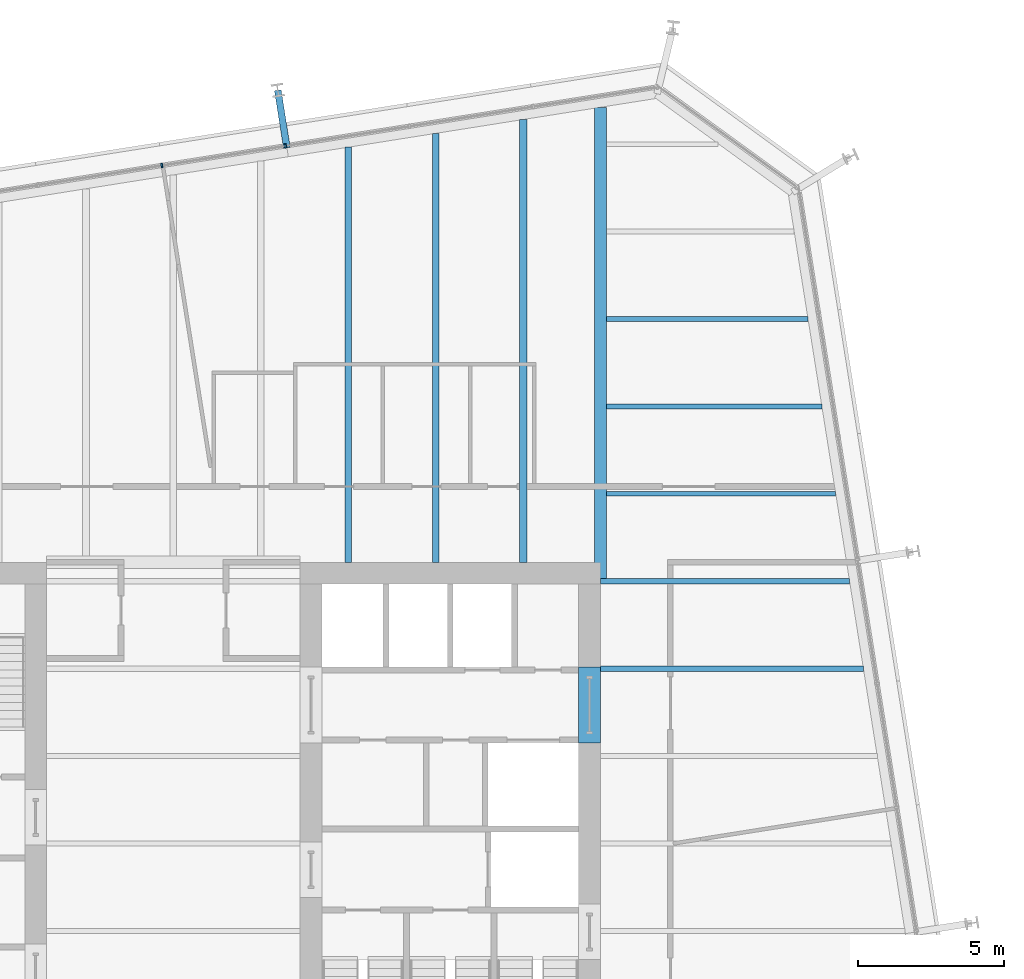
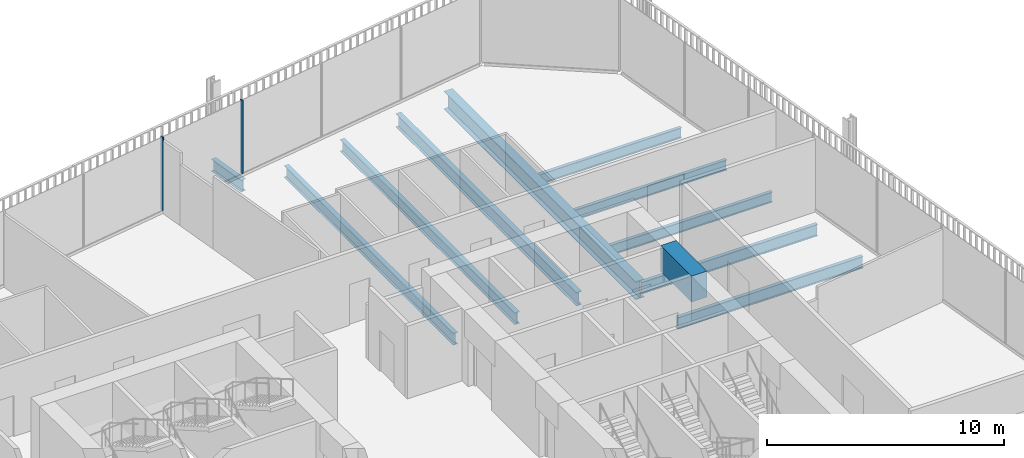
# One storey, part 13 of 21: 11 beams, 2 members, 1 element without a shape of its own.
"""IFC4 building model written with IfcOpenShell, lengths in metres."""

from ifc_helpers import new_model, si_unit, direction, frame, origin, origin_2d, place, context, subcontext, project, spatial, rectangle, i_section, extrude, material, layer, layer_set, material_profile, profile_set, type_object, element, aggregate, save


model = new_model("IFC4")

# Units and contexts
model_context = context("Model", 3, precision=1e-05, world=origin(), true_north=direction((0.0, 1.0)))
body_context = subcontext(model_context, "Body", "Model", "MODEL_VIEW")
ifc_project = project(units=[si_unit("LENGTHUNIT", "METRE"), si_unit("AREAUNIT", "SQUARE_METRE"), si_unit("VOLUMEUNIT", "CUBIC_METRE"), si_unit("PLANEANGLEUNIT", "RADIAN"), si_unit("MASSUNIT", "GRAM", prefix="KILO")], contexts=[model_context])

# Site, building, storey
site_placement = place(None, origin())
site = spatial("IfcSite", under=ifc_project, at=site_placement, CompositionType="ELEMENT")
building_placement = place(site_placement, origin())
building = spatial("IfcBuilding", under=site, at=building_placement, Name="Millrace Tower", CompositionType="ELEMENT")
storey_placement = place(building_placement, frame((0.0, 0.0, 183.89990234375)))
storey = spatial("IfcBuildingStorey", under=building, at=storey_placement, Name="L41", CompositionType="ELEMENT", Elevation=183.89990234375)

# Curtain wall, members
ifc_material_1 = material(Name="Aluminium and glass", Category="aluminium")
ifc_layer = layer(ifc_material_1, 0.14990234375)
ifc_layer_set = layer_set([ifc_layer], Name="Aluminium and glass")
curtain_wall_type = type_object("IfcCurtainWallType", Name="CW-1 office vision curtain wall", PredefinedType="NOTDEFINED", material=ifc_layer_set)
curtain_wall_placement = place(storey_placement, origin())
curtain_wall = element("IfcCurtainWall", 1, at=curtain_wall_placement, inside=storey, type_object=curtain_wall_type, Name="Curtain wall C-F06 L41", PredefinedType="NOTDEFINED")
ifc_material_2 = material(Name="Aluminium", Category="aluminium")
ifc_material_profile_1 = material_profile(ifc_material_2, rectangle(XDim=0.06494140625, YDim=0.14990234375, at=origin_2d()))
ifc_profile_set_1 = profile_set([ifc_material_profile_1], Name="Aluminium")
member_type = type_object("IfcMemberType", Name="CW-1 office vision curtain wall mullion", PredefinedType="MULLION", material=ifc_profile_set_1)
member_1_placement = place(storey_placement, frame((3.8505859375, 23.938720703125, 0.14013671875), z_axis=(0.0, 0.0, 1.0), x_axis=(-0.98768833929, -0.15643447328, 0.0)))
member_1 = element("IfcMember", 2, at=member_1_placement, type_object=member_type, Name="CW1 mullion C-F06.4", PredefinedType="MULLION", context=body_context, shape_type="SweptSolid", body=[
    extrude(rectangle(XDim=0.06494140625, YDim=0.14990234375, at=origin_2d()), origin(), (0.0, 0.0, 1.0), 3.760009765625),
])
member_2_placement = place(storey_placement, frame((-0.396484375, 23.26611328125, 0.14013671875), z_axis=(0.0, 0.0, 1.0), x_axis=(-0.98768833929, -0.15643447328, 0.0)))
member_2 = element("IfcMember", 3, at=member_2_placement, type_object=member_type, Name="CW1 mullion C-F06.5", PredefinedType="MULLION", context=body_context, shape_type="SweptSolid", body=[
    extrude(rectangle(XDim=0.06494140625, YDim=0.14990234375, at=origin_2d()), origin(), (0.0, 0.0, 1.0), 3.760009765625),
])
aggregate(curtain_wall, [member_1, member_2])

# Beams
ifc_material_3 = material(Name="Concrete C70", Category="concrete")
ifc_material_profile_2 = material_profile(ifc_material_3, rectangle(XDim=0.75, YDim=1.340087890625, at=origin_2d()))
ifc_profile_set_2 = profile_set([ifc_material_profile_2], Name="Concrete C70")
beam_type_1 = type_object("IfcBeamType", Name="Coupling beam 750 x 1340 Concrete C70, 2000 opening", PredefinedType="BEAM", material=ifc_profile_set_2)
beam_1_placement = place(storey_placement, frame((14.27490234375, 6.050048828125, 3.070068359375), z_axis=(0.0, -1.0, 0.0), x_axis=(1.0, 0.0, 0.0)))
element("IfcBeam", 4, at=beam_1_placement, inside=storey, type_object=beam_type_1, Name="Coupling beam E L41", PredefinedType="BEAM", context=body_context, shape_type="SweptSolid", body=[
    extrude(rectangle(XDim=0.75, YDim=1.340087890625, at=origin_2d()), origin(), (0.0, 0.0, 1.0), 2.60009765625),
])
ifc_material_4 = material(Name="Steel ASTM A992 Grade 50", Category="steel")
ifc_material_profile_3 = material_profile(ifc_material_4, i_section(OverallWidth=0.1650390625, OverallDepth=0.52587890625, WebThickness=0.0087890625, FlangeThickness=0.011474609375, FilletRadius=0.0126953125, at=origin_2d()))
ifc_profile_set_3 = profile_set([ifc_material_profile_3], Name="Steel ASTM A992 Grade 50")
beam_type_2 = type_object("IfcBeamType", Name="Floor beam W21x44", PredefinedType="JOIST", material=ifc_profile_set_3)
beam_2_placement = place(storey_placement, frame((14.859619140625, 12.0, -0.4228515625), z_axis=(1.0, 0.0, 0.0), x_axis=(0.0, 1.0, 0.0)))
element("IfcBeam", 5, at=beam_2_placement, inside=storey, type_object=beam_type_2, Name="BM-C-L41-S1-S032", PredefinedType="JOIST", context=body_context, shape_type="SweptSolid", body=[
    extrude(i_section(OverallWidth=0.1650390625, OverallDepth=0.52587890625, WebThickness=0.0087890625, FlangeThickness=0.011474609375, FilletRadius=0.0126953125, at=origin_2d()), origin(), (0.0, 0.0, 1.0), 7.8662109375),
])
beam_3_placement = place(storey_placement, frame((14.859619140625, 15.0, -0.4228515625), z_axis=(1.0, 0.0, 0.0), x_axis=(0.0, 1.0, 0.0)))
element("IfcBeam", 6, at=beam_3_placement, inside=storey, type_object=beam_type_2, Name="BM-C-L41-S1-S034", PredefinedType="JOIST", context=body_context, shape_type="SweptSolid", body=[
    extrude(i_section(OverallWidth=0.1650390625, OverallDepth=0.52587890625, WebThickness=0.0087890625, FlangeThickness=0.011474609375, FilletRadius=0.0126953125, at=origin_2d()), origin(), (0.0, 0.0, 1.0), 7.390869140625),
])
beam_4_placement = place(storey_placement, frame((14.859619140625, 18.0, -0.4228515625), z_axis=(1.0, 0.0, 0.0), x_axis=(0.0, 1.0, 0.0)))
element("IfcBeam", 7, at=beam_4_placement, inside=storey, type_object=beam_type_2, Name="BM-C-L41-S1-S036", PredefinedType="JOIST", context=body_context, shape_type="SweptSolid", body=[
    extrude(i_section(OverallWidth=0.1650390625, OverallDepth=0.52587890625, WebThickness=0.0087890625, FlangeThickness=0.011474609375, FilletRadius=0.0126953125, at=origin_2d()), origin(), (0.0, 0.0, 1.0), 6.915771484375),
])
ifc_material_5 = material(Name="Steel ASTM A992 Grade 50", Category="steel")
ifc_material_profile_4 = material_profile(ifc_material_5, i_section(OverallWidth=0.177978515625, OverallDepth=0.599365234375, WebThickness=0.010009765625, FlangeThickness=0.012939453125, FilletRadius=0.012939453125, at=origin_2d()))
ifc_profile_set_4 = profile_set([ifc_material_profile_4], Name="Steel ASTM A992 Grade 50")
beam_type_3 = type_object("IfcBeamType", Name="Floor beam W24x55", PredefinedType="JOIST", material=ifc_profile_set_4)
beam_5_placement = place(storey_placement, frame((14.64990234375, 6.0, -0.459716796875), z_axis=(1.0, 0.0, 0.0), x_axis=(0.0, 1.0, 0.0)))
element("IfcBeam", 8, at=beam_5_placement, inside=storey, type_object=beam_type_3, Name="BM-C-L41-S1-S027", PredefinedType="JOIST", context=body_context, shape_type="SweptSolid", body=[
    extrude(i_section(OverallWidth=0.177978515625, OverallDepth=0.599365234375, WebThickness=0.010009765625, FlangeThickness=0.012939453125, FilletRadius=0.012939453125, at=origin_2d()), origin(), (0.0, 0.0, 1.0), 9.026123046875),
])
beam_6_placement = place(storey_placement, frame((14.64990234375, 9.0, -0.459716796875), z_axis=(1.0, 0.0, 0.0), x_axis=(0.0, 1.0, 0.0)))
element("IfcBeam", 9, at=beam_6_placement, inside=storey, type_object=beam_type_3, Name="BM-C-L41-S1-S030", PredefinedType="JOIST", context=body_context, shape_type="SweptSolid", body=[
    extrude(i_section(OverallWidth=0.177978515625, OverallDepth=0.599365234375, WebThickness=0.010009765625, FlangeThickness=0.012939453125, FilletRadius=0.012939453125, at=origin_2d()), origin(), (0.0, 0.0, 1.0), 8.551025390625),
])
ifc_material_6 = material(Name="Steel ASTM A992 Grade 50", Category="steel")
ifc_material_profile_5 = material_profile(ifc_material_6, i_section(OverallWidth=0.228271484375, OverallDepth=0.607177734375, WebThickness=0.01123046875, FlangeThickness=0.017333984375, FilletRadius=0.0126953125, at=origin_2d()))
ifc_profile_set_5 = profile_set([ifc_material_profile_5], Name="Steel ASTM A992 Grade 50")
beam_type_4 = type_object("IfcBeamType", Name="Floor beam W24x76", PredefinedType="JOIST", material=ifc_profile_set_5)
beam_7_placement = place(storey_placement, frame((6.0, 9.64990234375, -0.46337890625), z_axis=(0.0, 1.0, 0.0), x_axis=(-1.0, 0.0, 0.0)))
element("IfcBeam", 10, at=beam_7_placement, inside=storey, type_object=beam_type_4, Name="BM-C-L41-S1-S051", PredefinedType="JOIST", context=body_context, shape_type="SweptSolid", body=[
    extrude(i_section(OverallWidth=0.228271484375, OverallDepth=0.607177734375, WebThickness=0.01123046875, FlangeThickness=0.017333984375, FilletRadius=0.0126953125, at=origin_2d()), origin(), (0.0, 0.0, 1.0), 14.2421875),
])
beam_8_placement = place(storey_placement, frame((9.0, 9.64990234375, -0.46337890625), z_axis=(0.0, 1.0, 0.0), x_axis=(-1.0, 0.0, 0.0)))
element("IfcBeam", 11, at=beam_8_placement, inside=storey, type_object=beam_type_4, Name="BM-C-L41-S1-S053", PredefinedType="JOIST", context=body_context, shape_type="SweptSolid", body=[
    extrude(i_section(OverallWidth=0.228271484375, OverallDepth=0.607177734375, WebThickness=0.01123046875, FlangeThickness=0.017333984375, FilletRadius=0.0126953125, at=origin_2d()), origin(), (0.0, 0.0, 1.0), 14.71728515625),
])
ifc_material_7 = material(Name="Steel ASTM A992 Grade 50", Category="steel")
ifc_material_profile_6 = material_profile(ifc_material_7, i_section(OverallWidth=0.256591796875, OverallDepth=0.693359375, WebThickness=0.014404296875, FlangeThickness=0.023681640625, FilletRadius=0.01513671875, at=origin_2d()))
ifc_profile_set_6 = profile_set([ifc_material_profile_6], Name="Steel ASTM A992 Grade 50")
beam_type_5 = type_object("IfcBeamType", Name="Floor beam W27x114", PredefinedType="JOIST", material=ifc_profile_set_6)
beam_9_placement = place(storey_placement, frame((12.0, 9.64990234375, -0.506591796875), z_axis=(0.0, 1.0, 0.0), x_axis=(-1.0, 0.0, 0.0)))
element("IfcBeam", 12, at=beam_9_placement, inside=storey, type_object=beam_type_5, Name="BM-C-L41-S1-S055", PredefinedType="JOIST", context=body_context, shape_type="SweptSolid", body=[
    extrude(i_section(OverallWidth=0.256591796875, OverallDepth=0.693359375, WebThickness=0.014404296875, FlangeThickness=0.023681640625, FilletRadius=0.01513671875, at=origin_2d()), origin(), (0.0, 0.0, 1.0), 15.1923828125),
])
ifc_material_8 = material(Name="Steel ASTM A992 Grade 50", Category="steel")
ifc_material_profile_7 = material_profile(ifc_material_8, i_section(OverallWidth=0.419189453125, OverallDepth=0.927001953125, WebThickness=0.019287109375, FlangeThickness=0.031982421875, FilletRadius=0.024169921875, at=origin_2d()))
ifc_profile_set_7 = profile_set([ifc_material_profile_7], Name="Steel ASTM A992 Grade 50")
beam_type_6 = type_object("IfcBeamType", Name="Girder medium span W36x231", PredefinedType="BEAM", material=ifc_profile_set_7)
beam_10_placement = place(storey_placement, frame((14.64990234375, 9.090087890625, -0.62353515625), z_axis=(0.0, 1.0, 0.0), x_axis=(-1.0, 0.0, 0.0)))
element("IfcBeam", 13, at=beam_10_placement, inside=storey, type_object=beam_type_6, Name="BM-C-L41-S1-G059", PredefinedType="BEAM", context=body_context, shape_type="SweptSolid", body=[
    extrude(i_section(OverallWidth=0.419189453125, OverallDepth=0.927001953125, WebThickness=0.019287109375, FlangeThickness=0.031982421875, FilletRadius=0.024169921875, at=origin_2d()), origin(), (0.0, 0.0, 1.0), 16.1640625),
])
ifc_material_9 = material(Name="Steel ASTM A992 Grade 50", Category="steel")
ifc_material_profile_8 = material_profile(ifc_material_9, i_section(OverallWidth=0.23046875, OverallDepth=0.6171875, WebThickness=0.01318359375, FlangeThickness=0.022216796875, FilletRadius=0.012939453125, at=origin_2d()))
ifc_profile_set_8 = profile_set([ifc_material_profile_8], Name="Steel ASTM A992 Grade 50")
beam_type_7 = type_object("IfcBeamType", Name="Link beam W24x94", PredefinedType="BEAM", material=ifc_profile_set_8)
beam_11_placement = place(storey_placement, frame((3.894287109375, 23.86962890625, -0.468505859375), z_axis=(-0.15637629034, 0.987697552806, 0.0), x_axis=(-0.987697552806, -0.15637629034, 0.0)))
element("IfcBeam", 14, at=beam_11_placement, inside=storey, type_object=beam_type_7, Name="LNK-C-L41-S1-07", PredefinedType="BEAM", context=body_context, shape_type="SweptSolid", body=[
    extrude(i_section(OverallWidth=0.23046875, OverallDepth=0.6171875, WebThickness=0.01318359375, FlangeThickness=0.022216796875, FilletRadius=0.012939453125, at=origin_2d()), origin(), (0.0, 0.0, 1.0), 2.0),
])

save(model, "model.ifc")
